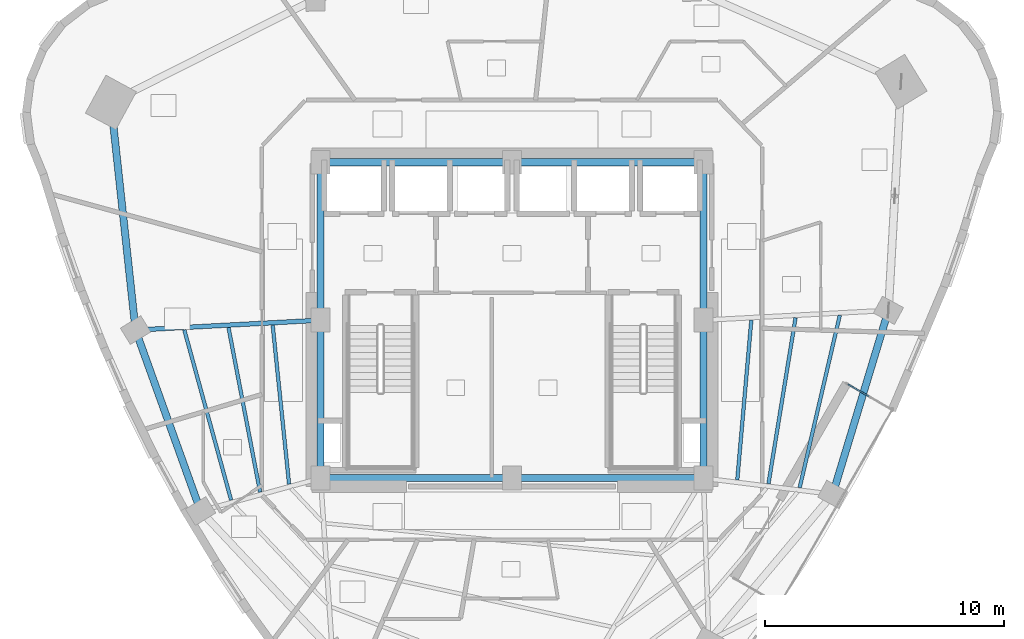
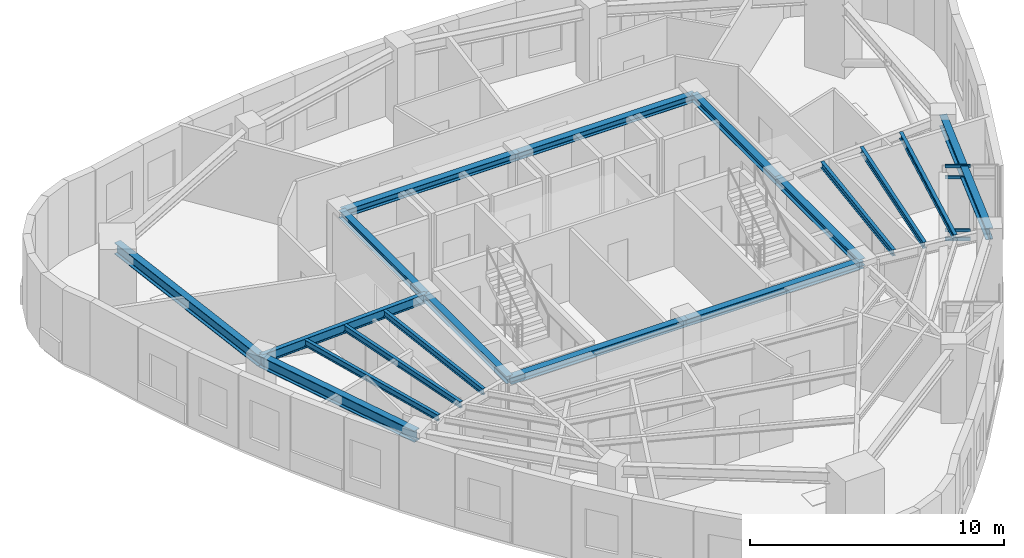
# One storey, part 3 of 12: 18 beams, 4 members, 1 element without a shape of its own.
"""IFC4 building model written with IfcOpenShell, lengths in metres."""

import ifcopenshell
import ifcopenshell.guid

model = None  # the IFC model being written
_history = None  # IfcOwnerHistory: only IFC2X3 demands one
_inside = {}  # id of a spatial element -> (the spatial element, [elements in it])
_under = {}  # id of a project, library or spatial element -> (it, [spatial elements below it])
_declared = {}  # id of a project -> (the project, [libraries it declares])
_typed = {}  # id of a type object -> (the type object, [elements of that type])
_made_of = {}  # id of a material, layer set ... -> (it, [elements and type objects made of it])


def new_model(schema):
    """Start an empty IFC model of exactly this schema.

    Asked for "IFC4X3", IfcOpenShell would pick the latest addendum, in which some entities
    have other attributes; the version numbers below select the first issue.
    IFC2X3 requires an IfcOwnerHistory on every rooted entity: one is made here for all.
    """
    global model, _history
    if schema == "IFC4X3":
        model = ifcopenshell.file(schema_version=(4, 3, 0, 0))
    else:
        model = ifcopenshell.file(schema=schema)
    _inside.clear()
    _under.clear()
    _declared.clear()
    _typed.clear()
    _made_of.clear()
    _history = None
    if model.schema == "IFC2X3":
        org = make("IfcOrganization", Name="unknown")
        user = make(
            "IfcPersonAndOrganization",
            ThePerson=make("IfcPerson", FamilyName="unknown"),
            TheOrganization=org,
        )
        app = make(
            "IfcApplication",
            ApplicationDeveloper=org,
            Version="unknown",
            ApplicationFullName="unknown",
            ApplicationIdentifier="unknown",
        )
        _history = make(
            "IfcOwnerHistory",
            OwningUser=user,
            OwningApplication=app,
            ChangeAction="ADDED",
            CreationDate=0,
        )
    return model


def make(cls, **values):
    """One entity of the class cls with the attributes given. An attribute that is None is left unset."""
    return model.create_entity(
        cls, **{name: value for name, value in values.items() if value is not None}
    )


def rooted(cls, **values):
    """An entity with a GlobalId (a new one), such as an element, a storey or a relation."""
    return make(cls, GlobalId=ifcopenshell.guid.new(), OwnerHistory=_history, **values)


def si_unit(unit_type, name, prefix=None):
    """IfcSIUnit, for example si_unit("LENGTHUNIT", "METRE", prefix="MILLI")."""
    return make("IfcSIUnit", UnitType=unit_type, Prefix=prefix, Name=name)


def assignment(units):
    """IfcUnitAssignment: the units of a project."""
    return None if units is None else make("IfcUnitAssignment", Units=units)


def point(xyz):
    """IfcCartesianPoint."""
    return None if xyz is None else make("IfcCartesianPoint", Coordinates=xyz)


def direction(xyz):
    """IfcDirection."""
    return None if xyz is None else make("IfcDirection", DirectionRatios=xyz)


def frame(location, z_axis=None, x_axis=None):
    """IfcAxis2Placement3D, a coordinate frame: its origin and axes. An axis left out is left unset."""
    return make(
        "IfcAxis2Placement3D",
        Location=point(location),
        Axis=direction(z_axis),
        RefDirection=direction(x_axis),
    )


def frame_2d(location, x_axis=None):
    """IfcAxis2Placement2D, a coordinate frame in the plane: its origin and x axis."""
    return make(
        "IfcAxis2Placement2D", Location=point(location), RefDirection=direction(x_axis)
    )


def origin():
    """The frame at (0, 0, 0) with its axes left unset."""
    return frame((0.0, 0.0, 0.0))


def origin_2d():
    """The frame at (0, 0) in the plane with its x axis left unset."""
    return frame_2d((0.0, 0.0))


def place(relative_to, where):
    """IfcLocalPlacement: puts the frame where relative to a parent placement (None: the world)."""
    return make(
        "IfcLocalPlacement", PlacementRelTo=relative_to, RelativePlacement=where
    )


def context(
    kind, dimensions, precision=None, world=None, true_north=None, identifier=None
):
    """IfcGeometricRepresentationContext, for example the 3D "Model" context."""
    return make(
        "IfcGeometricRepresentationContext",
        ContextIdentifier=identifier,
        ContextType=kind,
        CoordinateSpaceDimension=dimensions,
        Precision=precision,
        WorldCoordinateSystem=world,
        TrueNorth=true_north,
    )


def subcontext(parent, identifier, kind, view, scale=None):
    """IfcGeometricRepresentationSubContext, for example "Body" below "Model"."""
    return make(
        "IfcGeometricRepresentationSubContext",
        ContextIdentifier=identifier,
        ContextType=kind,
        ParentContext=parent,
        TargetScale=scale,
        TargetView=view,
    )


def project(units=None, contexts=None):
    """IfcProject with its units and contexts."""
    return rooted(
        "IfcProject",
        Name="project",
        RepresentationContexts=contexts,
        UnitsInContext=assignment(units),
    )


def spatial(cls, under=None, at=None, **own):
    """A site, building, storey or space (cls), placed at a placement, below another one or the project."""
    s = rooted(cls, ObjectPlacement=at, **own)
    if under is not None:
        _under.setdefault(under.id(), (under, []))[1].append(s)
    return s


def profile(cls, at=None, kind="AREA", **sizes):
    """A parametric profile (cls). Its sizes go by their IFC names, for example OverallWidth=200.0."""
    return make(cls, ProfileType=kind, Position=at, **sizes)


def hollow_rectangle(**sizes):
    """IfcRectangleHollowProfileDef."""
    return profile("IfcRectangleHollowProfileDef", **sizes)


def i_section(**sizes):
    """IfcIShapeProfileDef."""
    return profile("IfcIShapeProfileDef", **sizes)


def extrude(swept, where, along, depth):
    """IfcExtrudedAreaSolid: the profile swept, set in the frame where, extruded along a direction by depth."""
    return make(
        "IfcExtrudedAreaSolid",
        SweptArea=swept,
        Position=where,
        ExtrudedDirection=direction(along),
        Depth=depth,
    )


def shape(context_of_items, identifier, shape_type, items):
    """IfcShapeRepresentation: the items that make up one representation, for example the "Body"."""
    return make(
        "IfcShapeRepresentation",
        ContextOfItems=context_of_items,
        RepresentationIdentifier=identifier,
        RepresentationType=shape_type,
        Items=items,
    )


def material(Name=None, Category=None):
    """IfcMaterial."""
    return make("IfcMaterial", Name=Name, Category=Category)


def layer(
    of_material, thickness, ventilated=None, Name=None, Category=None, Priority=None
):
    """IfcMaterialLayer: one layer of a wall or slab, of a material (None: an air gap)."""
    return make(
        "IfcMaterialLayer",
        Material=of_material,
        LayerThickness=thickness,
        IsVentilated=ventilated,
        Name=Name,
        Category=Category,
        Priority=Priority,
    )


def layer_set(layers, Name=None):
    """IfcMaterialLayerSet."""
    return make("IfcMaterialLayerSet", MaterialLayers=layers, LayerSetName=Name)


def material_profile(
    of_material, cross_section, Name=None, Category=None, Priority=None
):
    """IfcMaterialProfile: a cross section and its material."""
    return make(
        "IfcMaterialProfile",
        Name=Name,
        Material=of_material,
        Profile=cross_section,
        Priority=Priority,
        Category=Category,
    )


def profile_set(profiles, Name=None, composite=None):
    """IfcMaterialProfileSet."""
    return make(
        "IfcMaterialProfileSet",
        Name=Name,
        MaterialProfiles=profiles,
        CompositeProfile=composite,
    )


def made_of(thing, what):
    """Note that an element or type object is made of a material, layer set ...; save() writes the relation."""
    if what is not None:
        _made_of.setdefault(what.id(), (what, []))[1].append(thing)
    return thing


def type_object(cls, material=None, **own):
    """A type object (cls), such as IfcWallType, which elements share."""
    return made_of(rooted(cls, **own), material)


def element(
    cls,
    number,
    at=None,
    inside=None,
    cuts=None,
    type_object=None,
    material=None,
    context=None,
    identifier="Body",
    shape_type=None,
    held_by="IfcProductDefinitionShape",
    body=None,
    shapes=None,
    **own,
):
    """One element of the class cls, such as IfcWall. Its Tag is "e" and its number.

    at: its placement. inside: the storey or other place that contains it. cuts: it is an
    opening in that element (IfcRelVoidsElement). A single representation is given by context,
    identifier, shape_type and body (its items); several are given by shapes. held_by: the class
    of the entity that holds the representations. save() writes the other relations.
    """
    e = rooted(cls, Tag="e%d" % number, ObjectPlacement=at, **own)
    if body is not None:
        shapes = [shape(context, identifier, shape_type, body)]
    if shapes is not None:
        e.Representation = make(held_by, Representations=shapes)
    if inside is not None:
        _inside.setdefault(inside.id(), (inside, []))[1].append(e)
    if cuts is not None:
        rooted(
            "IfcRelVoidsElement", RelatingBuildingElement=cuts, RelatedOpeningElement=e
        )
    if type_object is not None:
        _typed.setdefault(type_object.id(), (type_object, []))[1].append(e)
    return made_of(e, material)


def aggregate(whole, parts):
    """IfcRelAggregates: a whole, such as a stair, and the parts it consists of."""
    return rooted("IfcRelAggregates", RelatingObject=whole, RelatedObjects=parts)


def save(model, path):
    """Write the relations noted so far, then the file.

    IfcRelAggregates (storeys below a building ...), IfcRelContainedInSpatialStructure (elements
    in a storey), IfcRelDefinesByType, IfcRelAssociatesMaterial and IfcRelDeclares: one each for
    every whole, place, type object, material and project.
    """
    for whole, parts in _under.values():
        aggregate(whole, parts)
    for where, things in _inside.values():
        rooted(
            "IfcRelContainedInSpatialStructure",
            RelatedElements=things,
            RelatingStructure=where,
        )
    for kind, things in _typed.values():
        rooted("IfcRelDefinesByType", RelatedObjects=things, RelatingType=kind)
    for what, things in _made_of.values():
        rooted("IfcRelAssociatesMaterial", RelatedObjects=things, RelatingMaterial=what)
    for by, libraries in _declared.values():
        rooted("IfcRelDeclares", RelatingContext=by, RelatedDefinitions=libraries)
    model.write(path)


model = new_model("IFC4")

# Units and contexts
model_context = context("Model", 3, precision=1e-05, world=origin(), true_north=direction((0.0, 1.0)))
body_context = subcontext(model_context, "Body", "Model", "MODEL_VIEW")
ifc_project = project(units=[si_unit("LENGTHUNIT", "METRE"), si_unit("AREAUNIT", "SQUARE_METRE"), si_unit("VOLUMEUNIT", "CUBIC_METRE"), si_unit("PLANEANGLEUNIT", "RADIAN"), si_unit("MASSUNIT", "GRAM", prefix="KILO")], contexts=[model_context])

# Site, building, storey
site_placement = place(None, origin())
site = spatial("IfcSite", under=ifc_project, at=site_placement, CompositionType="ELEMENT")
building_placement = place(site_placement, origin())
building = spatial("IfcBuilding", under=site, at=building_placement, Name="Ndelora Gate Hotel", CompositionType="ELEMENT")
storey_placement = place(building_placement, frame((0.0, 0.0, 213.14990234375)))
storey = spatial("IfcBuildingStorey", under=building, at=storey_placement, Name="L53", CompositionType="ELEMENT", Elevation=213.14990234375)

# Beams
ifc_material_1 = material(Name="Steel S355", Category="steel")
ifc_material_profile_1 = material_profile(ifc_material_1, i_section(OverallWidth=0.300048828125, OverallDepth=0.35009765625, WebThickness=0.010009765625, FlangeThickness=0.017578125, FilletRadius=0.027099609375, at=origin_2d()), Name="HEA 360")
ifc_profile_set_1 = profile_set([ifc_material_profile_1], Name="Steel S355")
beam_type_1 = type_object("IfcBeamType", Name="BM-CORE-350", PredefinedType="BEAM", material=ifc_profile_set_1)
for number, where, z_axis, x_axis, name in (
    (1, (-8.0, 6.60009765625, 3.375), (1.0, 0.0, 0.0), (0.0, 1.0, 0.0), "L53 Core Tie Girder CC7-CC6"),
    (2, (0.0, 6.60009765625, 3.375), (1.0, 0.0, 0.0), (0.0, 1.0, 0.0), "L53 Core Tie Girder CC6-CC5"),
):
    element("IfcBeam", number, at=place(storey_placement, frame(where, z_axis=z_axis, x_axis=x_axis)), inside=storey, type_object=beam_type_1, Name=name, PredefinedType="BEAM", context=body_context, shape_type="SweptSolid", body=[
        extrude(i_section(OverallWidth=0.300048828125, OverallDepth=0.35009765625, WebThickness=0.010009765625, FlangeThickness=0.017578125, FilletRadius=0.027099609375, at=origin_2d()), origin(), (0.0, 0.0, 1.0), 8.0),
    ])
for number, where, z_axis, x_axis, name in (
    (3, (-8.0, -6.60009765625, 3.375), (0.0, 1.0, 0.0), (-1.0, 0.0, 0.0), "L53 Core Tie Girder CC1-CC8"),
    (4, (-8.0, 0.0, 3.375), (0.0, 1.0, 0.0), (-1.0, 0.0, 0.0), "L53 Core Tie Girder CC8-CC7"),
    (5, (8.0, -6.60009765625, 3.375), (0.0, 1.0, 0.0), (-1.0, 0.0, 0.0), "L53 Core Tie Girder CC3-CC4"),
    (6, (8.0, 0.0, 3.375), (0.0, 1.0, 0.0), (-1.0, 0.0, 0.0), "L53 Core Tie Girder CC4-CC5"),
):
    element("IfcBeam", number, at=place(storey_placement, frame(where, z_axis=z_axis, x_axis=x_axis)), inside=storey, type_object=beam_type_1, Name=name, PredefinedType="BEAM", context=body_context, shape_type="SweptSolid", body=[
        extrude(i_section(OverallWidth=0.300048828125, OverallDepth=0.35009765625, WebThickness=0.010009765625, FlangeThickness=0.017578125, FilletRadius=0.027099609375, at=origin_2d()), origin(), (0.0, 0.0, 1.0), 6.60009765625),
    ])
for number, where, z_axis, x_axis, name in (
    (7, (-8.0, -6.60009765625, 3.375), (1.0, 0.0, 0.0), (0.0, 1.0, 0.0), "L53 Core Tie Girder CC1-CC2"),
    (8, (0.0, -6.60009765625, 3.375), (1.0, 0.0, 0.0), (0.0, 1.0, 0.0), "L53 Core Tie Girder CC2-CC3"),
):
    element("IfcBeam", number, at=place(storey_placement, frame(where, z_axis=z_axis, x_axis=x_axis)), inside=storey, type_object=beam_type_1, Name=name, PredefinedType="BEAM", context=body_context, shape_type="SweptSolid", body=[
        extrude(i_section(OverallWidth=0.300048828125, OverallDepth=0.35009765625, WebThickness=0.010009765625, FlangeThickness=0.017578125, FilletRadius=0.027099609375, at=origin_2d()), origin(), (0.0, 0.0, 1.0), 8.0),
    ])
ifc_material_profile_2 = material_profile(ifc_material_1, i_section(OverallWidth=0.14990234375, OverallDepth=0.300048828125, WebThickness=0.007080078125, FlangeThickness=0.0107421875, FilletRadius=0.014892578125, at=origin_2d()), Name="IPE 300")
ifc_profile_set_2 = profile_set([ifc_material_profile_2], Name="Steel S355")
beam_type_2 = type_object("IfcBeamType", Name="BM-JST-300", PredefinedType="JOIST", material=ifc_profile_set_2)
beam_1_placement = place(storey_placement, frame((-9.9990234375, -0.21142578125, 3.400146484375), z_axis=(0.10260596827, -0.994722079415, 0.0), x_axis=(0.994722079415, 0.10260596827, 0.0)))
element("IfcBeam", 9, at=beam_1_placement, inside=storey, type_object=beam_type_2, Name="L53 Secondary Composite Floor Joist IN-2", PredefinedType="JOIST", context=body_context, shape_type="SweptSolid", body=[
    extrude(i_section(OverallWidth=0.14990234375, OverallDepth=0.300048828125, WebThickness=0.007080078125, FlangeThickness=0.0107421875, FilletRadius=0.014892578125, at=origin_2d()), origin(), (0.0, 0.0, 1.0), 6.676513671875),
])
beam_2_placement = place(storey_placement, frame((-11.84521484375, -0.30908203125, 3.400146484375), z_axis=(0.188470955684, -0.982078764083, 0.0), x_axis=(0.982078764083, 0.188470955684, 0.0)))
element("IfcBeam", 10, at=beam_2_placement, inside=storey, type_object=beam_type_2, Name="L53 Secondary Composite Floor Joist MID-2", PredefinedType="JOIST", context=body_context, shape_type="SweptSolid", body=[
    extrude(i_section(OverallWidth=0.14990234375, OverallDepth=0.300048828125, WebThickness=0.007080078125, FlangeThickness=0.0107421875, FilletRadius=0.014892578125, at=origin_2d()), origin(), (0.0, 0.0, 1.0), 7.000244140625),
])
beam_3_placement = place(storey_placement, frame((-13.6923828125, -0.406005859375, 3.400146484375), z_axis=(0.2652180483, -0.964188460238, 0.0), x_axis=(0.964188460238, 0.2652180483, 0.0)))
element("IfcBeam", 11, at=beam_3_placement, inside=storey, type_object=beam_type_2, Name="L53 Secondary Composite Floor Joist OUT-2", PredefinedType="JOIST", context=body_context, shape_type="SweptSolid", body=[
    extrude(i_section(OverallWidth=0.14990234375, OverallDepth=0.300048828125, WebThickness=0.007080078125, FlangeThickness=0.0107421875, FilletRadius=0.014892578125, at=origin_2d()), origin(), (0.0, 0.0, 1.0), 7.37353515625),
])
beam_4_placement = place(storey_placement, frame((9.413330078125, -6.671142578125, 3.400146484375), z_axis=(0.087643872384, 0.996151871771, 0.0), x_axis=(-0.996151871771, 0.087643872384, 0.0)))
element("IfcBeam", 12, at=beam_4_placement, inside=storey, type_object=beam_type_2, Name="L53 Secondary Composite Floor Joist IN-7", PredefinedType="JOIST", context=body_context, shape_type="SweptSolid", body=[
    extrude(i_section(OverallWidth=0.14990234375, OverallDepth=0.300048828125, WebThickness=0.007080078125, FlangeThickness=0.0107421875, FilletRadius=0.014892578125, at=origin_2d()), origin(), (0.0, 0.0, 1.0), 6.699462890625),
])
beam_5_placement = place(storey_placement, frame((10.717041015625, -6.834228515625, 3.400146484375), z_axis=(0.160939239626, 0.986964316046, 0.0), x_axis=(-0.986964316046, 0.160939239626, 0.0)))
element("IfcBeam", 13, at=beam_5_placement, inside=storey, type_object=beam_type_2, Name="L53 Secondary Composite Floor Joist MID-7", PredefinedType="JOIST", context=body_context, shape_type="SweptSolid", body=[
    extrude(i_section(OverallWidth=0.14990234375, OverallDepth=0.300048828125, WebThickness=0.007080078125, FlangeThickness=0.0107421875, FilletRadius=0.014892578125, at=origin_2d()), origin(), (0.0, 0.0, 1.0), 7.028076171875),
])
beam_6_placement = place(storey_placement, frame((12.02001953125, -6.997802734375, 3.400146484375), z_axis=(0.22674518397, 0.973954116756, 0.0), x_axis=(-0.973954116756, 0.22674518397, 0.0)))
element("IfcBeam", 14, at=beam_6_placement, inside=storey, type_object=beam_type_2, Name="L53 Secondary Composite Floor Joist OUT-7", PredefinedType="JOIST", context=body_context, shape_type="SweptSolid", body=[
    extrude(i_section(OverallWidth=0.14990234375, OverallDepth=0.300048828125, WebThickness=0.007080078125, FlangeThickness=0.0107421875, FilletRadius=0.014892578125, at=origin_2d()), origin(), (0.0, 0.0, 1.0), 7.392822265625),
])
ifc_material_profile_3 = material_profile(ifc_material_1, i_section(OverallWidth=0.18994140625, OverallDepth=0.449951171875, WebThickness=0.009521484375, FlangeThickness=0.0146484375, FilletRadius=0.02099609375, at=origin_2d()), Name="IPE 450")
ifc_profile_set_3 = profile_set([ifc_material_profile_3], Name="Steel S355")
beam_type_3 = type_object("IfcBeamType", Name="BM-RAD-450", PredefinedType="BEAM", material=ifc_profile_set_3)
beam_7_placement = place(storey_placement, frame((-8.0, 0.0, 3.3251953125), z_axis=(-0.998583554121, -0.053206065814, 0.0), x_axis=(0.053206065814, -0.998583554121, 0.0)))
element("IfcBeam", 15, at=beam_7_placement, inside=storey, type_object=beam_type_3, Name="L53 Radial Floor Girder 2", PredefinedType="BEAM", context=body_context, shape_type="SweptSolid", body=[
    extrude(i_section(OverallWidth=0.18994140625, OverallDepth=0.449951171875, WebThickness=0.009521484375, FlangeThickness=0.0146484375, FilletRadius=0.02099609375, at=origin_2d()), origin(), (0.0, 0.0, 1.0), 7.740966796875),
])
ifc_material_profile_4 = material_profile(ifc_material_1, i_section(OverallWidth=0.300048828125, OverallDepth=0.550048828125, WebThickness=0.014892578125, FlangeThickness=0.029052734375, FilletRadius=0.027099609375, at=origin_2d()), Name="HEB 550")
ifc_profile_set_4 = profile_set([ifc_material_profile_4], Name="Steel S355")
beam_type_4 = type_object("IfcBeamType", Name="BM-RING-550", PredefinedType="SPANDREL", material=ifc_profile_set_4)
beam_8_placement = place(storey_placement, frame((-16.759521484375, 9.099609375, 3.275146484375), z_axis=(0.107613416645, -0.994192814578, 0.0), x_axis=(0.994192814578, 0.107613416645, 0.0)))
element("IfcBeam", 16, at=beam_8_placement, inside=storey, type_object=beam_type_4, Name="L53 Perimeter Spandrel Girder 1", PredefinedType="SPANDREL", context=body_context, shape_type="SweptSolid", body=[
    extrude(i_section(OverallWidth=0.300048828125, OverallDepth=0.550048828125, WebThickness=0.014892578125, FlangeThickness=0.029052734375, FilletRadius=0.027099609375, at=origin_2d()), origin(), (0.0, 0.0, 1.0), 9.567138671875),
])
beam_9_placement = place(storey_placement, frame((-15.72998046875, -0.411865234375, 3.275146484375), z_axis=(0.338244972382, -0.941058095262, 0.0), x_axis=(0.941058095262, 0.338244972382, 0.0)))
element("IfcBeam", 17, at=beam_9_placement, inside=storey, type_object=beam_type_4, Name="L53 Perimeter Spandrel Girder 2", PredefinedType="SPANDREL", context=body_context, shape_type="SweptSolid", body=[
    extrude(i_section(OverallWidth=0.300048828125, OverallDepth=0.550048828125, WebThickness=0.014892578125, FlangeThickness=0.029052734375, FilletRadius=0.027099609375, at=origin_2d()), origin(), (0.0, 0.0, 1.0), 8.03564453125),
])
beam_10_placement = place(storey_placement, frame((13.400390625, -7.275634765625, 3.275146484375), z_axis=(0.290012456561, 0.957022870698, 0.0), x_axis=(-0.957022870698, 0.290012456561, 0.0)))
element("IfcBeam", 18, at=beam_10_placement, inside=storey, type_object=beam_type_4, Name="L53 Perimeter Spandrel Girder 7", PredefinedType="SPANDREL", context=body_context, shape_type="SweptSolid", body=[
    extrude(i_section(OverallWidth=0.300048828125, OverallDepth=0.550048828125, WebThickness=0.014892578125, FlangeThickness=0.029052734375, FilletRadius=0.027099609375, at=origin_2d()), origin(), (0.0, 0.0, 1.0), 8.03271484375),
])

# Curtain wall, members
ifc_material_2 = material(Name="Bronze Anodised Unitised Aluminium and Low-E Glass", Category="aluminium")
ifc_layer = layer(ifc_material_2, 0.199951171875)
ifc_layer_set = layer_set([ifc_layer], Name="Bronze Anodised Unitised Aluminium and Low-E Glass")
curtain_wall_type = type_object("IfcCurtainWallType", Name="CW-SYS-3", PredefinedType="NOTDEFINED", material=ifc_layer_set)
curtain_wall_placement = place(storey_placement, origin())
curtain_wall = element("IfcCurtainWall", 19, at=curtain_wall_placement, inside=storey, type_object=curtain_wall_type, Name="L53 Sky-Garden Loggia Side Curtain Wall CW3-2", PredefinedType="NOTDEFINED")
ifc_material_3 = material(Name="Bronze Anodised Aluminium 6063-T6", Category="aluminium")
ifc_material_profile_5 = material_profile(ifc_material_3, hollow_rectangle(XDim=0.06494140625, YDim=0.159912109375, WallThickness=0.00390625, InnerFilletRadius=0.00390625, OuterFilletRadius=0.008056640625, at=origin_2d()), Name="ALU 160x65x4")
ifc_profile_set_5 = profile_set([ifc_material_profile_5], Name="Bronze Anodised Aluminium 6063-T6")
member_type = type_object("IfcMemberType", Name="MB-CW-TRN150", PredefinedType="USERDEFINED", material=ifc_profile_set_5)
member_1_placement = place(storey_placement, frame((14.910400390625, -3.181396484375, 0.03271484375), z_axis=(-0.866013277291, 0.500021003115, 0.0), x_axis=(-0.500021003115, -0.866013277291, 0.0)))
member_1 = element("IfcMember", 20, at=member_1_placement, type_object=member_type, Name="CW3 transom 2.1", ObjectType="TRANSOM", PredefinedType="USERDEFINED", context=body_context, shape_type="SweptSolid", body=[
    extrude(hollow_rectangle(XDim=0.06494140625, YDim=0.159912109375, WallThickness=0.00390625, InnerFilletRadius=0.00390625, OuterFilletRadius=0.008056640625, at=origin_2d()), origin(), (0.0, 0.0, 1.0), 1.0146484375),
])
member_2_placement = place(storey_placement, frame((14.910400390625, -3.181396484375, 0.4501953125), z_axis=(-0.866013277291, 0.500021003115, 0.0), x_axis=(-0.500021003115, -0.866013277291, 0.0)))
member_2 = element("IfcMember", 21, at=member_2_placement, type_object=member_type, Name="CW3 transom 2.2", ObjectType="TRANSOM", PredefinedType="USERDEFINED", context=body_context, shape_type="SweptSolid", body=[
    extrude(hollow_rectangle(XDim=0.06494140625, YDim=0.159912109375, WallThickness=0.00390625, InnerFilletRadius=0.00390625, OuterFilletRadius=0.008056640625, at=origin_2d()), origin(), (0.0, 0.0, 1.0), 1.0146484375),
])
member_3_placement = place(storey_placement, frame((14.910400390625, -3.181396484375, 3.0), z_axis=(-0.866013277291, 0.500021003115, 0.0), x_axis=(-0.500021003115, -0.866013277291, 0.0)))
member_3 = element("IfcMember", 22, at=member_3_placement, type_object=member_type, Name="CW3 transom 2.3", ObjectType="TRANSOM", PredefinedType="USERDEFINED", context=body_context, shape_type="SweptSolid", body=[
    extrude(hollow_rectangle(XDim=0.06494140625, YDim=0.159912109375, WallThickness=0.00390625, InnerFilletRadius=0.00390625, OuterFilletRadius=0.008056640625, at=origin_2d()), origin(), (0.0, 0.0, 1.0), 1.0146484375),
])
member_4_placement = place(storey_placement, frame((14.910400390625, -3.181396484375, 3.517578125), z_axis=(-0.866013277291, 0.500021003115, 0.0), x_axis=(-0.500021003115, -0.866013277291, 0.0)))
member_4 = element("IfcMember", 23, at=member_4_placement, type_object=member_type, Name="CW3 transom 2.4", ObjectType="TRANSOM", PredefinedType="USERDEFINED", context=body_context, shape_type="SweptSolid", body=[
    extrude(hollow_rectangle(XDim=0.06494140625, YDim=0.159912109375, WallThickness=0.00390625, InnerFilletRadius=0.00390625, OuterFilletRadius=0.008056640625, at=origin_2d()), origin(), (0.0, 0.0, 1.0), 1.0146484375),
])
aggregate(curtain_wall, [member_1, member_2, member_3, member_4])

save(model, "model.ifc")
